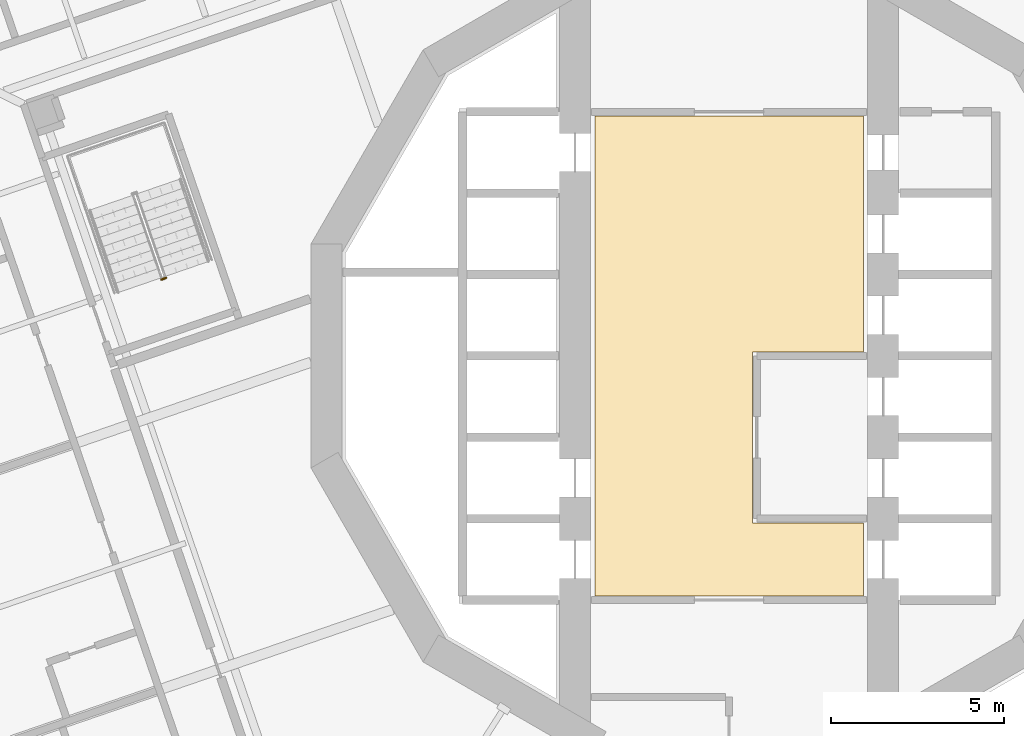
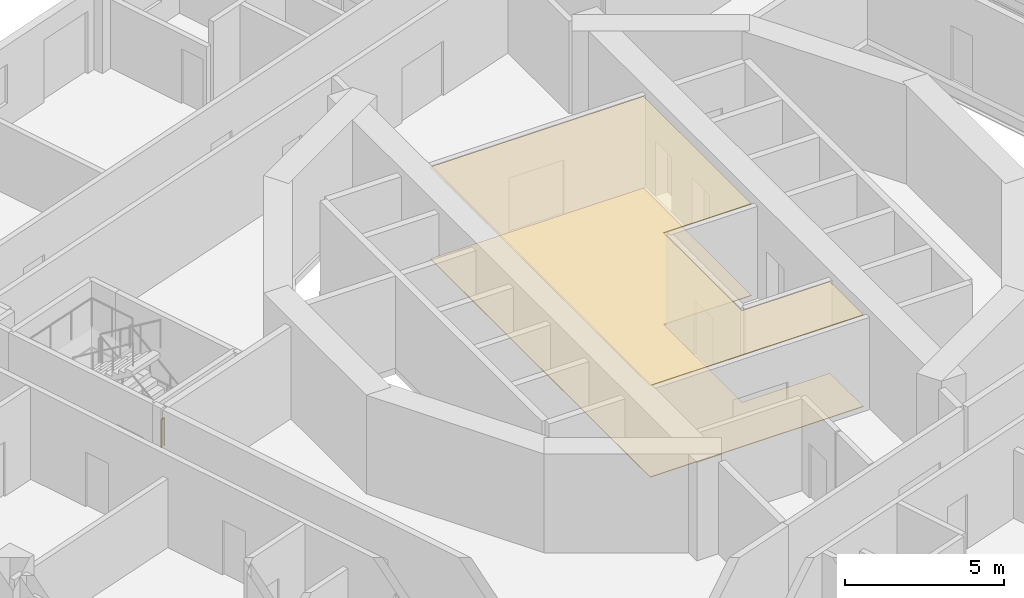
# One storey, part 16 of 21: 2 coverings, 1 railing.
"""IFC4 building model written with IfcOpenShell, lengths in metres."""

from ifc_helpers import new_model, si_unit, direction, frame, origin, origin_2d, place, context, subcontext, project, spatial, polyline, circle, outline, extrude, material, layer, layer_set, type_object, element, save


model = new_model("IFC4")

# Units and contexts
model_context = context("Model", 3, precision=1e-05, world=origin(), true_north=direction((0.0, 1.0)))
body_context = subcontext(model_context, "Body", "Model", "MODEL_VIEW")
ifc_project = project(units=[si_unit("LENGTHUNIT", "METRE"), si_unit("AREAUNIT", "SQUARE_METRE"), si_unit("VOLUMEUNIT", "CUBIC_METRE"), si_unit("PLANEANGLEUNIT", "RADIAN"), si_unit("MASSUNIT", "GRAM", prefix="KILO")], contexts=[model_context])

# Site, building, storey
site_placement = place(None, origin())
site = spatial("IfcSite", under=ifc_project, at=site_placement, CompositionType="ELEMENT")
building_placement = place(site_placement, origin())
building = spatial("IfcBuilding", under=site, at=building_placement, Name="Cantera Rosa Tower", CompositionType="ELEMENT")
storey_placement = place(building_placement, frame((0.0, 0.0, 119.300048828125)))
storey = spatial("IfcBuildingStorey", under=building, at=storey_placement, Name="L24", CompositionType="ELEMENT", Elevation=119.300048828125)

# Railing
ifc_material_1 = material(Name="Steel S355J2 (EN 10025-2)", Category="steel")
railing_type = type_object("IfcRailingType", Name="STAIR GUARD 1100", PredefinedType="GUARDRAIL", material=ifc_material_1)
railing_placement = place(storey_placement, frame((-16.257080078125, 2.25341796875, 0.0)))
element("IfcRailing", 1, at=railing_placement, inside=storey, type_object=railing_type, Name="L24 ST-22 stair guard 3", PredefinedType="GUARDRAIL", context=body_context, shape_type="SweptSolid", body=[
    extrude(circle(Radius=0.02392578125, at=origin_2d()), frame((0.0, 0.0, 1.076171875), z_axis=(-0.945545797087, -0.325489086777, 0.0), x_axis=(0.325489086777, -0.945545797087, 0.0)), (0.0, 0.0, 1.0), 0.14990234375),
    extrude(circle(Radius=0.02099609375, at=origin_2d()), origin(), (0.0, 0.0, 1.0), 1.052001953125),
    extrude(circle(Radius=0.02099609375, at=origin_2d()), frame((-0.141845703125, -0.048828125, 0.0)), (0.0, 0.0, 1.0), 1.052001953125),
])

# Coverings
ifc_material_2 = material(Name="Limestone paving", Category="masonry")
ifc_layer_1 = layer(ifc_material_2, 0.02490234375)
ifc_layer_set_1 = layer_set([ifc_layer_1], Name="STONE FLOOR FINISH 25")
covering_type_1 = type_object("IfcCoveringType", Name="STONE FLOOR FINISH 25", PredefinedType="FLOORING", material=ifc_layer_set_1)
covering_1_placement = place(storey_placement, origin())
element("IfcCovering", 2, at=covering_1_placement, inside=storey, type_object=covering_type_1, Name="STONE FLOOR FINISH L24", PredefinedType="FLOORING", context=body_context, shape_type="SweptSolid", body=[
    extrude(outline(polyline([(3.8798828125, 6.929931640625), (3.8798828125, 0.1201171875), (0.679931640625, 0.1201171875), (0.679931640625, -4.820068359375), (3.8798828125, -4.820068359375), (3.8798828125, -6.929931640625), (-3.8798828125, -6.929931640625), (-3.8798828125, 6.929931640625), (3.8798828125, 6.929931640625)])), origin(), (0.0, 0.0, 1.0), 0.02490234375),
])
ifc_material_3 = material(Name="Gypsum ceiling tile")
ifc_layer_2 = layer(ifc_material_3, 0.030029296875)
ifc_layer_set_2 = layer_set([ifc_layer_2], Name="SUSPENDED CEILING 30")
covering_type_2 = type_object("IfcCoveringType", Name="SUSPENDED CEILING 30", PredefinedType="CEILING", material=ifc_layer_set_2)
covering_2_placement = place(storey_placement, frame((0.0, 0.0, 3.52001953125)))
element("IfcCovering", 3, at=covering_2_placement, inside=storey, type_object=covering_type_2, Name="SUSPENDED CEILING L24", PredefinedType="CEILING", context=body_context, shape_type="SweptSolid", body=[
    extrude(outline(polyline([(3.8798828125, 6.929931640625), (3.8798828125, 0.1201171875), (0.679931640625, 0.1201171875), (0.679931640625, -4.820068359375), (3.8798828125, -4.820068359375), (3.8798828125, -6.929931640625), (-3.8798828125, -6.929931640625), (-3.8798828125, 6.929931640625), (3.8798828125, 6.929931640625)])), origin(), (0.0, 0.0, 1.0), 0.030029296875),
])

save(model, "model.ifc")
